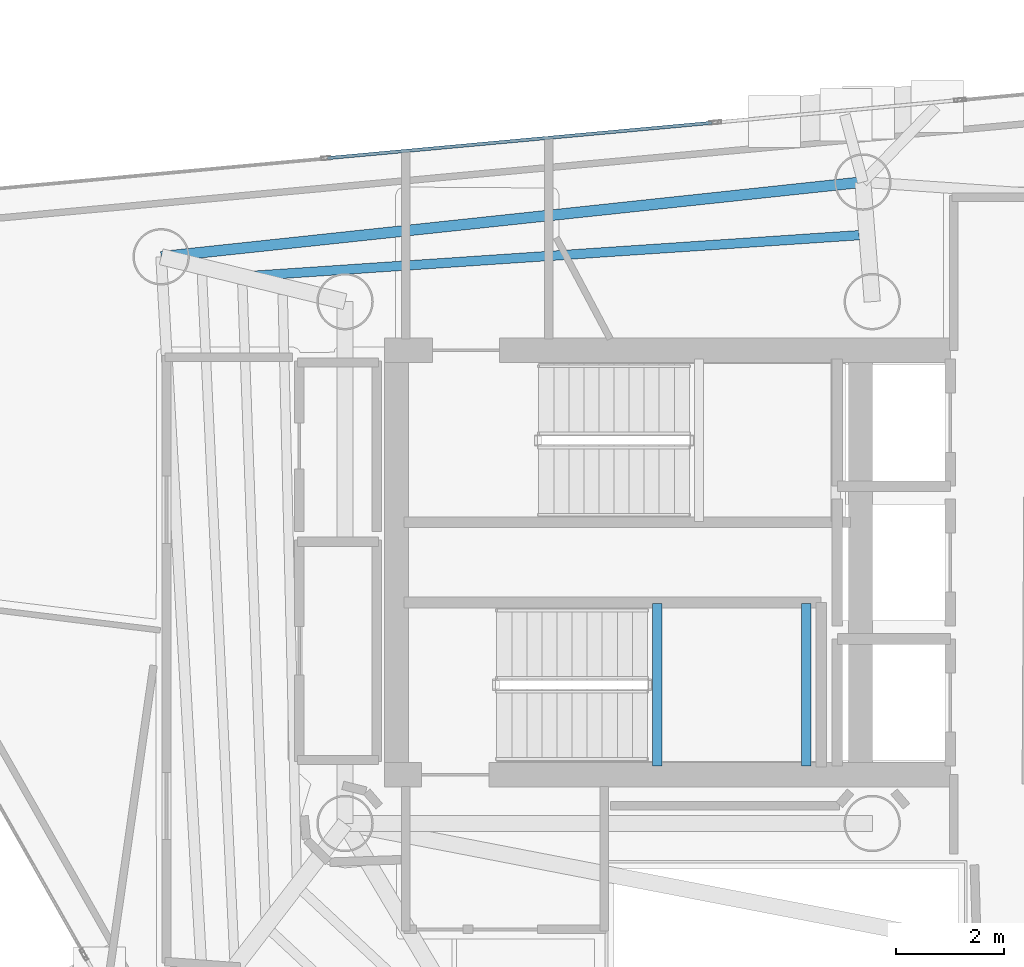
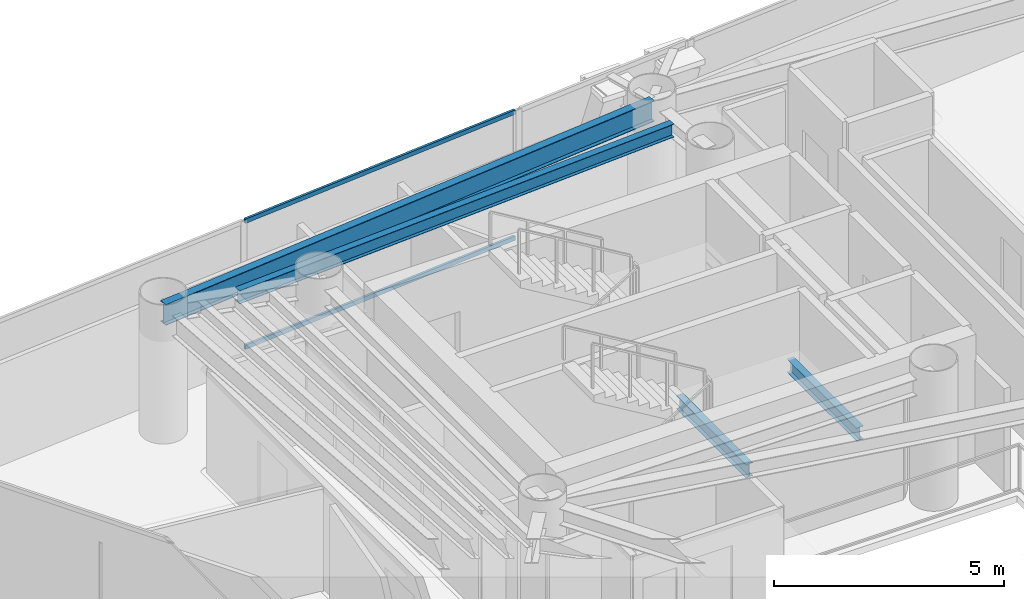
# One storey, part 9 of 21: 4 beams, 2 members, 1 element without a shape of its own.
"""IFC4 building model written with IfcOpenShell, lengths in metres."""

from ifc_helpers import new_model, si_unit, direction, frame, origin, origin_2d, place, context, subcontext, project, spatial, hollow_rectangle, i_section, extrude, material, layer, layer_set, material_profile, profile_set, type_object, element, aggregate, save


model = new_model("IFC4")

# Units and contexts
model_context = context("Model", 3, precision=1e-05, world=origin(), true_north=direction((0.0, 1.0)))
body_context = subcontext(model_context, "Body", "Model", "MODEL_VIEW")
ifc_project = project(units=[si_unit("LENGTHUNIT", "METRE"), si_unit("AREAUNIT", "SQUARE_METRE"), si_unit("VOLUMEUNIT", "CUBIC_METRE"), si_unit("PLANEANGLEUNIT", "RADIAN"), si_unit("MASSUNIT", "GRAM", prefix="KILO")], contexts=[model_context])

# Site, building, storey
site_placement = place(None, origin())
site = spatial("IfcSite", under=ifc_project, at=site_placement, CompositionType="ELEMENT")
building_placement = place(site_placement, origin())
building = spatial("IfcBuilding", under=site, at=building_placement, Name="Qianvela Tower", CompositionType="ELEMENT")
storey_placement = place(building_placement, frame((0.0, 0.0, 272.300048828125)))
storey = spatial("IfcBuildingStorey", under=building, at=storey_placement, Name="L70", CompositionType="ELEMENT", Elevation=272.300048828125)

# Beams
ifc_material_1 = material(Name="Steel Q355B", Category="steel")
ifc_material_profile_1 = material_profile(ifc_material_1, i_section(OverallWidth=0.175048828125, OverallDepth=0.35009765625, WebThickness=0.007080078125, FlangeThickness=0.010986328125, at=origin_2d()), Name="HN350x175x7x11")
ifc_profile_set_1 = profile_set([ifc_material_profile_1], Name="Steel Q355B")
beam_type_1 = type_object("IfcBeamType", Name="BM-HN350-JOIST", PredefinedType="JOIST", material=ifc_profile_set_1)
beam_1_placement = place(storey_placement, frame((38.15625, 34.78515625, 3.222900390625), z_axis=(-0.99776569919, -0.066810250112, 0.0), x_axis=(0.066810250112, -0.99776569919, 0.0)))
element("IfcBeam", 1, at=beam_1_placement, inside=storey, type_object=beam_type_1, Name="L70 Secondary Composite Floor Joist 2.2", PredefinedType="JOIST", context=body_context, shape_type="SweptSolid", body=[
    extrude(i_section(OverallWidth=0.175048828125, OverallDepth=0.35009765625, WebThickness=0.007080078125, FlangeThickness=0.010986328125, at=origin_2d()), origin(), (0.0, 0.0, 1.0), 11.35009765625),
])
for number, where, z_axis, x_axis, name in (
    (2, (34.39990234375, 24.919921875, 1.474853515625), (0.0, 1.0, 0.0), (-1.0, 0.0, 0.0), "L70 Stair ST-2 Landing Support Beam 1.1"),
    (3, (37.169921875, 24.919921875, 1.474853515625), (0.0, 1.0, 0.0), (-1.0, 0.0, 0.0), "L70 Stair ST-2 Landing Support Beam 1.2"),
):
    element("IfcBeam", number, at=place(storey_placement, frame(where, z_axis=z_axis, x_axis=x_axis)), inside=storey, type_object=beam_type_1, Name=name, PredefinedType="JOIST", context=body_context, shape_type="SweptSolid", body=[
        extrude(i_section(OverallWidth=0.175048828125, OverallDepth=0.35009765625, WebThickness=0.007080078125, FlangeThickness=0.010986328125, at=origin_2d()), origin(), (0.0, 0.0, 1.0), 3.02001953125),
    ])
ifc_material_2 = material(Name="Steel Q355B", Category="steel")
ifc_material_profile_2 = material_profile(ifc_material_2, i_section(OverallWidth=0.199951171875, OverallDepth=0.550048828125, WebThickness=0.010009765625, FlangeThickness=0.01611328125, at=origin_2d()), Name="HN550x200x10x16")
ifc_profile_set_2 = profile_set([ifc_material_profile_2], Name="Steel Q355B")
beam_type_2 = type_object("IfcBeamType", Name="BM-HN550-GIRD", PredefinedType="BEAM", material=ifc_profile_set_2)
beam_2_placement = place(storey_placement, frame((38.22509765625, 35.77294921875, 3.123046875), z_axis=(-0.994378160395, -0.105887081975, 0.0), x_axis=(0.105887081975, -0.994378160395, 0.0)))
element("IfcBeam", 4, at=beam_2_placement, inside=storey, type_object=beam_type_2, Name="L70 Perimeter Ring Spandrel Girder 2", PredefinedType="BEAM", context=body_context, shape_type="SweptSolid", body=[
    extrude(i_section(OverallWidth=0.199951171875, OverallDepth=0.550048828125, WebThickness=0.010009765625, FlangeThickness=0.01611328125, at=origin_2d()), origin(), (0.0, 0.0, 1.0), 13.116943359375),
])

# Curtain wall, members
ifc_material_3 = material(Name="Anodised Architectural Aluminium and Low-E Glass", Category="aluminium")
ifc_layer = layer(ifc_material_3, 0.159912109375)
ifc_layer_set = layer_set([ifc_layer], Name="Anodised Architectural Aluminium and Low-E Glass")
curtain_wall_type = type_object("IfcCurtainWallType", Name="CW-COLIV-Z56", PredefinedType="USERDEFINED", material=ifc_layer_set)
curtain_wall_placement = place(storey_placement, origin())
curtain_wall = element("IfcCurtainWall", 5, at=curtain_wall_placement, inside=storey, type_object=curtain_wall_type, Name="L70 CW-COLIV-Z56 Curtain Wall 02C", ObjectType="CURTAIN_WALL_SYSTEM", PredefinedType="USERDEFINED")
ifc_material_4 = material(Name="Anodised Architectural Aluminium 6063-T6", Category="aluminium")
ifc_material_profile_3 = material_profile(ifc_material_4, hollow_rectangle(XDim=0.06005859375, YDim=0.114990234375, WallThickness=0.00390625, at=origin_2d()), Name="ALU-TRAN-60x115")
ifc_profile_set_3 = profile_set([ifc_material_profile_3], Name="Anodised Architectural Aluminium 6063-T6")
member_type = type_object("IfcMemberType", Name="CW-COLIV-Z56-TRAN", PredefinedType="USERDEFINED", material=ifc_profile_set_3)
member_1_placement = place(storey_placement, frame((35.417236328125, 36.873779296875, 0.030029296875), z_axis=(-0.995809622075, -0.091450514391, 0.0), x_axis=(0.091450514391, -0.995809622075, 0.0)))
member_1 = element("IfcMember", 6, at=member_1_placement, type_object=member_type, Name="CW-5 transom 1.1", ObjectType="TRANSOM", PredefinedType="USERDEFINED", context=body_context, shape_type="SweptSolid", body=[
    extrude(hollow_rectangle(XDim=0.06005859375, YDim=0.114990234375, WallThickness=0.00390625, at=origin_2d()), origin(), (0.0, 0.0, 1.0), 7.170654296875),
])
member_2_placement = place(storey_placement, frame((35.417236328125, 36.873779296875, 3.369873046875), z_axis=(-0.995809622075, -0.091450514391, 0.0), x_axis=(0.091450514391, -0.995809622075, 0.0)))
member_2 = element("IfcMember", 7, at=member_2_placement, type_object=member_type, Name="CW-5 transom 1.2", ObjectType="TRANSOM", PredefinedType="USERDEFINED", context=body_context, shape_type="SweptSolid", body=[
    extrude(hollow_rectangle(XDim=0.06005859375, YDim=0.114990234375, WallThickness=0.00390625, at=origin_2d()), origin(), (0.0, 0.0, 1.0), 7.170654296875),
])
aggregate(curtain_wall, [member_1, member_2])

save(model, "model.ifc")
